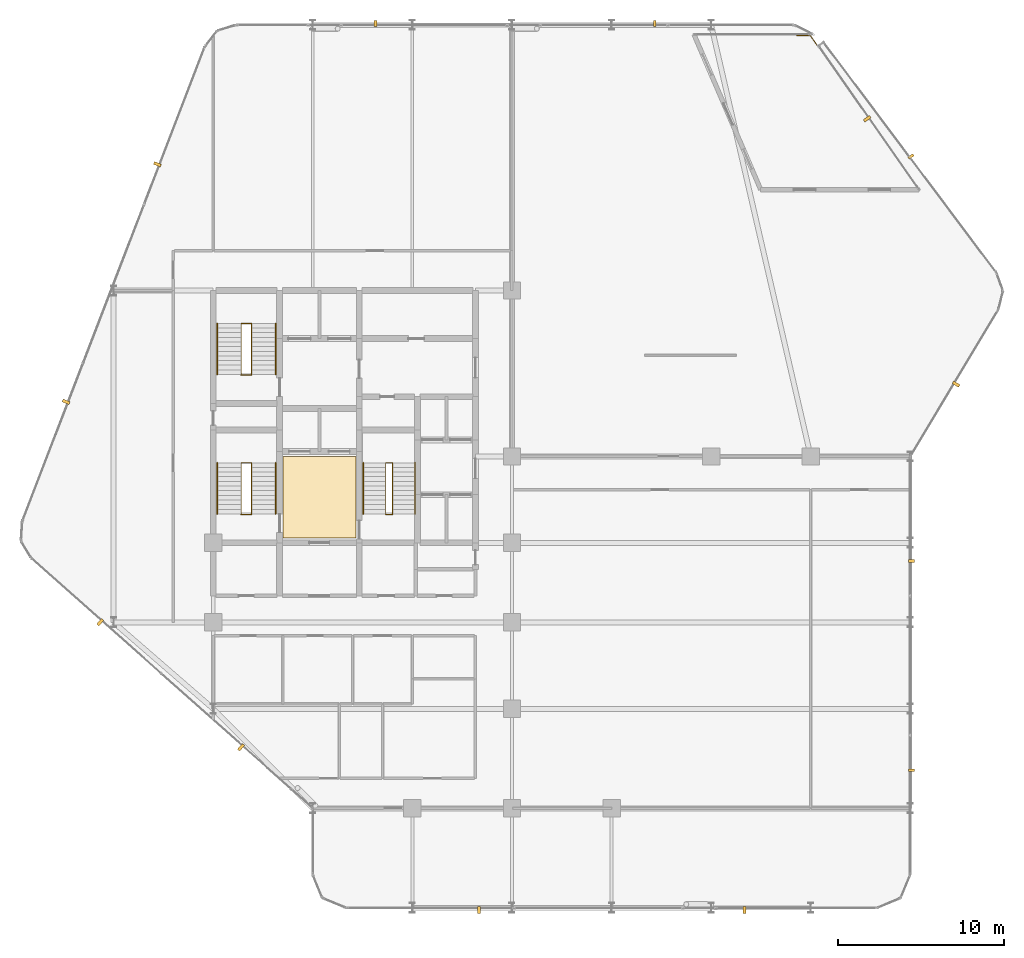
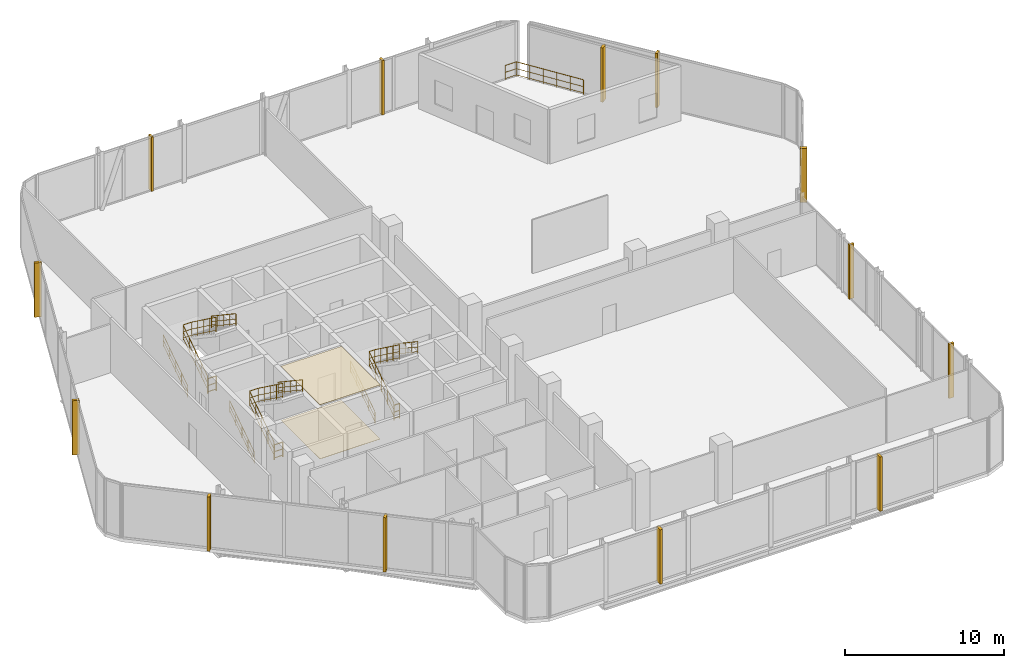
# One storey, part 31 of 31: 15 coverings, 14 railings.
"""IFC4 building model written with IfcOpenShell, lengths in metres."""

from ifc_helpers import new_model, si_unit, direction, frame, origin, origin_2d, place, context, subcontext, project, spatial, polyline, rectangle, circle, outline, extrude, material, layer, layer_set, type_object, element, save


model = new_model("IFC4")

# Units and contexts
model_context = context("Model", 3, precision=1e-05, world=origin(), true_north=direction((0.0, 1.0)))
body_context = subcontext(model_context, "Body", "Model", "MODEL_VIEW")
ifc_project = project(units=[si_unit("LENGTHUNIT", "METRE"), si_unit("AREAUNIT", "SQUARE_METRE"), si_unit("VOLUMEUNIT", "CUBIC_METRE"), si_unit("PLANEANGLEUNIT", "RADIAN"), si_unit("MASSUNIT", "GRAM", prefix="KILO")], contexts=[model_context])

# Site, building, storey
site_placement = place(None, origin())
site = spatial("IfcSite", under=ifc_project, at=site_placement, CompositionType="ELEMENT")
building_placement = place(site_placement, origin())
building = spatial("IfcBuilding", under=site, at=building_placement, Name="Keshet Zoharim Tower", CompositionType="ELEMENT")
storey_placement = place(building_placement, frame((0.0, 0.0, 125.300048828125)))
storey = spatial("IfcBuildingStorey", under=building, at=storey_placement, Name="L30", CompositionType="ELEMENT", Elevation=125.300048828125)

# Coverings
ifc_material_1 = material(Name="Gypsum Plasterboard", Category="gypsum")
ifc_layer_1 = layer(ifc_material_1, 0.02490234375)
ifc_layer_set_1 = layer_set([ifc_layer_1], Name="Gypsum Plasterboard")
covering_type_1 = type_object("IfcCoveringType", Name="CV-CLG-025", PredefinedType="CEILING", material=ifc_layer_set_1)
covering_1_placement = place(storey_placement, frame((0.0, 0.0, 4.159912109375)))
element("IfcCovering", 1, at=covering_1_placement, inside=storey, type_object=covering_type_1, Name="L30 Core Lobby Acoustic Ceiling", PredefinedType="CEILING", context=body_context, shape_type="SweptSolid", body=[
    extrude(outline(polyline([(19.199951171875, 23.0), (23.60009765625, 23.0), (23.60009765625, 27.89990234375), (19.199951171875, 27.89990234375), (19.199951171875, 23.0)])), origin(), (0.0, 0.0, 1.0), 0.025146484375),
])
ifc_material_2 = material(Name="Porcelain Ceramic Tile", Category="ceramic")
ifc_layer_2 = layer(ifc_material_2, 0.02001953125)
ifc_layer_set_2 = layer_set([ifc_layer_2], Name="Porcelain Ceramic Tile")
covering_type_2 = type_object("IfcCoveringType", Name="CV-FLR-020", PredefinedType="FLOORING", material=ifc_layer_set_2)
covering_2_placement = place(storey_placement, origin())
element("IfcCovering", 2, at=covering_2_placement, inside=storey, type_object=covering_type_2, Name="L30 Core Lobby Porcelain Flooring", PredefinedType="FLOORING", context=body_context, shape_type="SweptSolid", body=[
    extrude(outline(polyline([(19.199951171875, 23.0), (23.60009765625, 23.0), (23.60009765625, 27.89990234375), (19.199951171875, 27.89990234375), (19.199951171875, 23.0)])), origin(), (0.0, 0.0, 1.0), 0.02001953125),
])
ifc_material_3 = material(Name="Concrete C50/60 precast", Category="concrete")
covering_type_3 = type_object("IfcCoveringType", Name="FIN-SOL-360", PredefinedType="CLADDING", material=ifc_material_3)
for number, where, z_axis, x_axis, name in (
    (3, (57.04296875, 45.97509765625, 0.0), (0.0, 0.0, 1.0), (0.600018414142, -0.799986189062, 0.0), "L30 Vertical Precast Solar Fin 01"),
    (4, (57.080078125, 21.60009765625, 0.0), (0.0, 0.0, 1.0), (0.0, -1.0, 0.0), "L30 Vertical Precast Solar Fin 03"),
    (5, (57.080078125, 9.0, 0.0), (0.0, 0.0, 1.0), (0.0, -1.0, 0.0), "L30 Vertical Precast Solar Fin 04"),
    (6, (24.780029296875, 53.97998046875, 0.0), (0.0, 0.0, 1.0), (1.0, 0.0, 0.0), "L30 Vertical Precast Solar Fin 11"),
    (7, (41.593994140625, 53.97998046875, 0.0), (0.0, 0.0, 1.0), (1.0, 0.0, 0.0), "L30 Vertical Precast Solar Fin 12"),
):
    element("IfcCovering", number, at=place(storey_placement, frame(where, z_axis=z_axis, x_axis=x_axis)), inside=storey, type_object=covering_type_3, Name=name, PredefinedType="CLADDING", context=body_context, shape_type="SweptSolid", body=[
        extrude(rectangle(XDim=0.159912109375, YDim=0.360107421875, at=origin_2d()), origin(), (0.0, 0.0, 1.0), 4.18505859375),
    ])
covering_type_4 = type_object("IfcCoveringType", Name="FIN-SOL-450", PredefinedType="CLADDING", material=ifc_material_3)
for number, where, z_axis, x_axis, name in (
    (8, (59.760986328125, 32.259033203125, 0.0), (0.0, 0.0, 1.0), (-0.514481501576, -0.857501477862, 0.0), "L30 Vertical Precast Solar Fin 02"),
    (9, (47.0, 0.574951171875, 0.0), (0.0, 0.0, 1.0), (-1.0, 0.0, 0.0), "L30 Vertical Precast Solar Fin 05"),
    (10, (31.0, 0.574951171875, 0.0), (0.0, 0.0, 1.0), (-1.0, 0.0, 0.0), "L30 Vertical Precast Solar Fin 06"),
    (11, (16.676025390625, 10.376953125, 0.0), (0.0, 0.0, 1.0), (-0.747409318679, 0.664363838836, 0.0), "L30 Vertical Precast Solar Fin 07"),
    (12, (8.193115234375, 17.9169921875, 0.0), (0.0, 0.0, 1.0), (-0.747409318679, 0.664363838836, 0.0), "L30 Vertical Precast Solar Fin 08"),
    (13, (6.133056640625, 31.194091796875, 0.0), (0.0, 0.0, 1.0), (0.358990003907, 0.933341404361, 0.0), "L30 Vertical Precast Solar Fin 09"),
    (14, (11.637939453125, 45.507080078125, 0.0), (0.0, 0.0, 1.0), (0.358990003907, 0.933341404361, 0.0), "L30 Vertical Precast Solar Fin 10"),
    (15, (54.402099609375, 48.25, 0.0), (0.0, 0.0, 1.0), (-0.57282227337, 0.81967959785, 0.0), "L30 Vertical Precast Solar Fin 13"),
):
    element("IfcCovering", number, at=place(storey_placement, frame(where, z_axis=z_axis, x_axis=x_axis)), inside=storey, type_object=covering_type_4, Name=name, PredefinedType="CLADDING", context=body_context, shape_type="SweptSolid", body=[
        extrude(rectangle(XDim=0.179931640625, YDim=0.449951171875, at=origin_2d()), origin(), (0.0, 0.0, 1.0), 4.18505859375),
    ])

# Railings
ifc_material_4 = material(Name="Steel S355", Category="steel")
ifc_layer_3 = layer(ifc_material_4, 0.050048828125)
ifc_layer_set_3 = layer_set([ifc_layer_3], Name="Steel S355")
railing_type_1 = type_object("IfcRailingType", Name="RL-HND-092", PredefinedType="HANDRAIL", material=ifc_layer_set_3)
railing_1_placement = place(storey_placement, frame((15.239990234375, 24.43994140625, 0.1875)))
element("IfcRailing", 16, at=railing_1_placement, inside=storey, type_object=railing_type_1, Name="L30 ST-01 Flight 1 Wall Handrail", PredefinedType="HANDRAIL", context=body_context, shape_type="SweptSolid", body=[
    extrude(circle(Radius=0.02392578125, at=origin_2d()), frame((0.0, 0.0, 0.89599609375), z_axis=(0.0, 0.830913701846, 0.55640131208), x_axis=(-1.0, 0.0, 0.0)), (0.0, 0.0, 1.0), 3.706787109375),
    extrude(circle(Radius=0.01611328125, at=origin_2d()), frame((0.0, 0.0, 0.478271484375), z_axis=(0.0, 0.830913701846, 0.55640131208), x_axis=(-1.0, 0.0, 0.0)), (0.0, 0.0, 1.0), 3.706787109375),
    extrude(circle(Radius=0.01611328125, at=origin_2d()), frame((0.0, 0.0, 0.1201171875), z_axis=(0.0, 0.830913701846, 0.55640131208), x_axis=(-1.0, 0.0, 0.0)), (0.0, 0.0, 1.0), 3.706787109375),
    extrude(circle(Radius=0.02099609375, at=origin_2d()), origin(), (0.0, 0.0, 1.0), 0.871826171875),
    extrude(circle(Radius=0.02099609375, at=origin_2d()), frame((0.0, 0.77001953125, 0.515625)), (0.0, 0.0, 1.0), 0.871826171875),
    extrude(circle(Radius=0.02099609375, at=origin_2d()), frame((0.0, 1.5400390625, 1.03125)), (0.0, 0.0, 1.0), 0.871826171875),
    extrude(circle(Radius=0.02099609375, at=origin_2d()), frame((0.0, 2.31005859375, 1.546875)), (0.0, 0.0, 1.0), 0.871826171875),
    extrude(circle(Radius=0.02099609375, at=origin_2d()), frame((0.0, 3.080078125, 2.0625)), (0.0, 0.0, 1.0), 0.871826171875),
])
railing_2_placement = place(storey_placement, frame((18.760009765625, 27.52001953125, 2.4375)))
element("IfcRailing", 17, at=railing_2_placement, inside=storey, type_object=railing_type_1, Name="L30 ST-01 Flight 2 Wall Handrail", PredefinedType="HANDRAIL", context=body_context, shape_type="SweptSolid", body=[
    extrude(circle(Radius=0.02392578125, at=origin_2d()), frame((0.0, 0.0, 0.89599609375), z_axis=(0.0, -0.830913701846, 0.55640131208), x_axis=(1.0, 0.0, 0.0)), (0.0, 0.0, 1.0), 3.706787109375),
    extrude(circle(Radius=0.01611328125, at=origin_2d()), frame((0.0, 0.0, 0.478271484375), z_axis=(0.0, -0.830913701846, 0.55640131208), x_axis=(1.0, 0.0, 0.0)), (0.0, 0.0, 1.0), 3.706787109375),
    extrude(circle(Radius=0.01611328125, at=origin_2d()), frame((0.0, 0.0, 0.1201171875), z_axis=(0.0, -0.830913701846, 0.55640131208), x_axis=(1.0, 0.0, 0.0)), (0.0, 0.0, 1.0), 3.706787109375),
    extrude(circle(Radius=0.02099609375, at=origin_2d()), origin(), (0.0, 0.0, 1.0), 0.871826171875),
    extrude(circle(Radius=0.02099609375, at=origin_2d()), frame((0.0, -0.77001953125, 0.515625)), (0.0, 0.0, 1.0), 0.871826171875),
    extrude(circle(Radius=0.02099609375, at=origin_2d()), frame((0.0, -1.5400390625, 1.03125)), (0.0, 0.0, 1.0), 0.871826171875),
    extrude(circle(Radius=0.02099609375, at=origin_2d()), frame((0.0, -2.31005859375, 1.546875)), (0.0, 0.0, 1.0), 0.871826171875),
    extrude(circle(Radius=0.02099609375, at=origin_2d()), frame((0.0, -3.080078125, 2.0625)), (0.0, 0.0, 1.0), 0.871826171875),
])
railing_3_placement = place(storey_placement, frame((15.239990234375, 32.840087890625, 0.1875)))
element("IfcRailing", 18, at=railing_3_placement, inside=storey, type_object=railing_type_1, Name="L30 ST-02 Flight 1 Wall Handrail", PredefinedType="HANDRAIL", context=body_context, shape_type="SweptSolid", body=[
    extrude(circle(Radius=0.02392578125, at=origin_2d()), frame((0.0, 0.0, 0.89599609375), z_axis=(0.0, 0.830893310487, 0.556431762742), x_axis=(-1.0, 0.0, 0.0)), (0.0, 0.0, 1.0), 3.70654296875),
    extrude(circle(Radius=0.01611328125, at=origin_2d()), frame((0.0, 0.0, 0.478271484375), z_axis=(0.0, 0.830893310487, 0.556431762742), x_axis=(-1.0, 0.0, 0.0)), (0.0, 0.0, 1.0), 3.70654296875),
    extrude(circle(Radius=0.01611328125, at=origin_2d()), frame((0.0, 0.0, 0.1201171875), z_axis=(0.0, 0.830893310487, 0.556431762742), x_axis=(-1.0, 0.0, 0.0)), (0.0, 0.0, 1.0), 3.70654296875),
    extrude(circle(Radius=0.02099609375, at=origin_2d()), origin(), (0.0, 0.0, 1.0), 0.871826171875),
    extrude(circle(Radius=0.02099609375, at=origin_2d()), frame((0.0, 0.77001953125, 0.515625)), (0.0, 0.0, 1.0), 0.871826171875),
    extrude(circle(Radius=0.02099609375, at=origin_2d()), frame((0.0, 1.5400390625, 1.03125)), (0.0, 0.0, 1.0), 0.871826171875),
    extrude(circle(Radius=0.02099609375, at=origin_2d()), frame((0.0, 2.309814453125, 1.546875)), (0.0, 0.0, 1.0), 0.871826171875),
    extrude(circle(Radius=0.02099609375, at=origin_2d()), frame((0.0, 3.079833984375, 2.0625)), (0.0, 0.0, 1.0), 0.871826171875),
])
railing_4_placement = place(storey_placement, frame((18.760009765625, 35.919921875, 2.4375)))
element("IfcRailing", 19, at=railing_4_placement, inside=storey, type_object=railing_type_1, Name="L30 ST-02 Flight 2 Wall Handrail", PredefinedType="HANDRAIL", context=body_context, shape_type="SweptSolid", body=[
    extrude(circle(Radius=0.02392578125, at=origin_2d()), frame((0.0, 0.0, 0.89599609375), z_axis=(0.0, -0.830893310487, 0.556431762742), x_axis=(1.0, 0.0, 0.0)), (0.0, 0.0, 1.0), 3.70654296875),
    extrude(circle(Radius=0.01611328125, at=origin_2d()), frame((0.0, 0.0, 0.478271484375), z_axis=(0.0, -0.830893310487, 0.556431762742), x_axis=(1.0, 0.0, 0.0)), (0.0, 0.0, 1.0), 3.70654296875),
    extrude(circle(Radius=0.01611328125, at=origin_2d()), frame((0.0, 0.0, 0.1201171875), z_axis=(0.0, -0.830893310487, 0.556431762742), x_axis=(1.0, 0.0, 0.0)), (0.0, 0.0, 1.0), 3.70654296875),
    extrude(circle(Radius=0.02099609375, at=origin_2d()), origin(), (0.0, 0.0, 1.0), 0.871826171875),
    extrude(circle(Radius=0.02099609375, at=origin_2d()), frame((0.0, -0.77001953125, 0.515625)), (0.0, 0.0, 1.0), 0.871826171875),
    extrude(circle(Radius=0.02099609375, at=origin_2d()), frame((0.0, -1.5400390625, 1.03125)), (0.0, 0.0, 1.0), 0.871826171875),
    extrude(circle(Radius=0.02099609375, at=origin_2d()), frame((0.0, -2.309814453125, 1.546875)), (0.0, 0.0, 1.0), 0.871826171875),
    extrude(circle(Radius=0.02099609375, at=origin_2d()), frame((0.0, -3.079833984375, 2.0625)), (0.0, 0.0, 1.0), 0.871826171875),
])
railing_5_placement = place(storey_placement, frame((24.0400390625, 24.43994140625, 0.1875)))
element("IfcRailing", 20, at=railing_5_placement, inside=storey, type_object=railing_type_1, Name="L30 ST-03 Flight 1 Wall Handrail", PredefinedType="HANDRAIL", context=body_context, shape_type="SweptSolid", body=[
    extrude(circle(Radius=0.02392578125, at=origin_2d()), frame((0.0, 0.0, 0.89599609375), z_axis=(0.0, 0.830913701846, 0.55640131208), x_axis=(-1.0, 0.0, 0.0)), (0.0, 0.0, 1.0), 3.706787109375),
    extrude(circle(Radius=0.01611328125, at=origin_2d()), frame((0.0, 0.0, 0.478271484375), z_axis=(0.0, 0.830913701846, 0.55640131208), x_axis=(-1.0, 0.0, 0.0)), (0.0, 0.0, 1.0), 3.706787109375),
    extrude(circle(Radius=0.01611328125, at=origin_2d()), frame((0.0, 0.0, 0.1201171875), z_axis=(0.0, 0.830913701846, 0.55640131208), x_axis=(-1.0, 0.0, 0.0)), (0.0, 0.0, 1.0), 3.706787109375),
    extrude(circle(Radius=0.02099609375, at=origin_2d()), origin(), (0.0, 0.0, 1.0), 0.871826171875),
    extrude(circle(Radius=0.02099609375, at=origin_2d()), frame((0.0, 0.77001953125, 0.515625)), (0.0, 0.0, 1.0), 0.871826171875),
    extrude(circle(Radius=0.02099609375, at=origin_2d()), frame((0.0, 1.5400390625, 1.03125)), (0.0, 0.0, 1.0), 0.871826171875),
    extrude(circle(Radius=0.02099609375, at=origin_2d()), frame((0.0, 2.31005859375, 1.546875)), (0.0, 0.0, 1.0), 0.871826171875),
    extrude(circle(Radius=0.02099609375, at=origin_2d()), frame((0.0, 3.080078125, 2.0625)), (0.0, 0.0, 1.0), 0.871826171875),
])
railing_6_placement = place(storey_placement, frame((27.159912109375, 27.52001953125, 2.4375)))
element("IfcRailing", 21, at=railing_6_placement, inside=storey, type_object=railing_type_1, Name="L30 ST-03 Flight 2 Wall Handrail", PredefinedType="HANDRAIL", context=body_context, shape_type="SweptSolid", body=[
    extrude(circle(Radius=0.02392578125, at=origin_2d()), frame((0.0, 0.0, 0.89599609375), z_axis=(0.0, -0.830913701846, 0.55640131208), x_axis=(1.0, 0.0, 0.0)), (0.0, 0.0, 1.0), 3.706787109375),
    extrude(circle(Radius=0.01611328125, at=origin_2d()), frame((0.0, 0.0, 0.478271484375), z_axis=(0.0, -0.830913701846, 0.55640131208), x_axis=(1.0, 0.0, 0.0)), (0.0, 0.0, 1.0), 3.706787109375),
    extrude(circle(Radius=0.01611328125, at=origin_2d()), frame((0.0, 0.0, 0.1201171875), z_axis=(0.0, -0.830913701846, 0.55640131208), x_axis=(1.0, 0.0, 0.0)), (0.0, 0.0, 1.0), 3.706787109375),
    extrude(circle(Radius=0.02099609375, at=origin_2d()), origin(), (0.0, 0.0, 1.0), 0.871826171875),
    extrude(circle(Radius=0.02099609375, at=origin_2d()), frame((0.0, -0.77001953125, 0.515625)), (0.0, 0.0, 1.0), 0.871826171875),
    extrude(circle(Radius=0.02099609375, at=origin_2d()), frame((0.0, -1.5400390625, 1.03125)), (0.0, 0.0, 1.0), 0.871826171875),
    extrude(circle(Radius=0.02099609375, at=origin_2d()), frame((0.0, -2.31005859375, 1.546875)), (0.0, 0.0, 1.0), 0.871826171875),
    extrude(circle(Radius=0.02099609375, at=origin_2d()), frame((0.0, -3.080078125, 2.0625)), (0.0, 0.0, 1.0), 0.871826171875),
])
ifc_layer_4 = layer(ifc_material_4, 0.06005859375)
ifc_layer_set_4 = layer_set([ifc_layer_4], Name="Steel S355")
railing_type_2 = type_object("IfcRailingType", Name="RL-STG-115", PredefinedType="GUARDRAIL", material=ifc_layer_set_4)
railing_7_placement = place(storey_placement, frame((16.68994140625, 24.43994140625, 0.1875)))
element("IfcRailing", 22, at=railing_7_placement, inside=storey, type_object=railing_type_2, Name="L30 ST-01 Inner Well Guardrail", PredefinedType="GUARDRAIL", context=body_context, shape_type="SweptSolid", body=[
    extrude(circle(Radius=0.02392578125, at=origin_2d()), frame((0.0, 0.0, 1.1259765625), z_axis=(0.0, 0.830913701846, 0.55640131208), x_axis=(-1.0, 0.0, 0.0)), (0.0, 0.0, 1.0), 3.706787109375),
    extrude(circle(Radius=0.01611328125, at=origin_2d()), frame((0.0, 0.0, 0.597900390625), z_axis=(0.0, 0.830913701846, 0.55640131208), x_axis=(-1.0, 0.0, 0.0)), (0.0, 0.0, 1.0), 3.706787109375),
    extrude(circle(Radius=0.01611328125, at=origin_2d()), frame((0.0, 0.0, 0.1201171875), z_axis=(0.0, 0.830913701846, 0.55640131208), x_axis=(-1.0, 0.0, 0.0)), (0.0, 0.0, 1.0), 3.706787109375),
    extrude(circle(Radius=0.02392578125, at=origin_2d()), frame((0.0, 3.080078125, 3.1884765625), z_axis=(1.0, 0.0, 0.0), x_axis=(0.0, 1.0, 0.0)), (0.0, 0.0, 1.0), 0.6201171875),
    extrude(circle(Radius=0.01611328125, at=origin_2d()), frame((0.0, 3.080078125, 2.660400390625), z_axis=(1.0, 0.0, 0.0), x_axis=(0.0, 1.0, 0.0)), (0.0, 0.0, 1.0), 0.6201171875),
    extrude(circle(Radius=0.01611328125, at=origin_2d()), frame((0.0, 3.080078125, 2.1826171875), z_axis=(1.0, 0.0, 0.0), x_axis=(0.0, 1.0, 0.0)), (0.0, 0.0, 1.0), 0.6201171875),
    extrude(circle(Radius=0.02392578125, at=origin_2d()), frame((0.6201171875, 3.080078125, 3.1884765625), z_axis=(0.0, -0.807494308864, 0.589875360692), x_axis=(1.0, 0.0, 0.0)), (0.0, 0.0, 1.0), 3.814453125),
    extrude(circle(Radius=0.01611328125, at=origin_2d()), frame((0.6201171875, 3.080078125, 2.660400390625), z_axis=(0.0, -0.807494308864, 0.589875360692), x_axis=(1.0, 0.0, 0.0)), (0.0, 0.0, 1.0), 3.814453125),
    extrude(circle(Radius=0.01611328125, at=origin_2d()), frame((0.6201171875, 3.080078125, 2.1826171875), z_axis=(0.0, -0.807494308864, 0.589875360692), x_axis=(1.0, 0.0, 0.0)), (0.0, 0.0, 1.0), 3.814453125),
    extrude(circle(Radius=0.02099609375, at=origin_2d()), origin(), (0.0, 0.0, 1.0), 1.101806640625),
    extrude(circle(Radius=0.02099609375, at=origin_2d()), frame((0.0, 0.77001953125, 0.515625)), (0.0, 0.0, 1.0), 1.101806640625),
    extrude(circle(Radius=0.02099609375, at=origin_2d()), frame((0.0, 1.5400390625, 1.03125)), (0.0, 0.0, 1.0), 1.101806640625),
    extrude(circle(Radius=0.02099609375, at=origin_2d()), frame((0.0, 2.31005859375, 1.546875)), (0.0, 0.0, 1.0), 1.101806640625),
    extrude(circle(Radius=0.02099609375, at=origin_2d()), frame((0.0, 3.080078125, 2.0625)), (0.0, 0.0, 1.0), 1.101806640625),
    extrude(circle(Radius=0.02099609375, at=origin_2d()), frame((0.6201171875, 3.080078125, 2.0625)), (0.0, 0.0, 1.0), 1.101806640625),
    extrude(circle(Radius=0.02099609375, at=origin_2d()), frame((0.6201171875, 2.31005859375, 2.625)), (0.0, 0.0, 1.0), 1.101806640625),
    extrude(circle(Radius=0.02099609375, at=origin_2d()), frame((0.6201171875, 1.5400390625, 3.1875)), (0.0, 0.0, 1.0), 1.101806640625),
    extrude(circle(Radius=0.02099609375, at=origin_2d()), frame((0.6201171875, 0.77001953125, 3.75)), (0.0, 0.0, 1.0), 1.101806640625),
    extrude(circle(Radius=0.02099609375, at=origin_2d()), frame((0.6201171875, 0.0, 4.3125)), (0.0, 0.0, 1.0), 1.101806640625),
])
railing_8_placement = place(storey_placement, frame((16.68994140625, 24.409912109375, 0.0)))
element("IfcRailing", 23, at=railing_8_placement, inside=storey, type_object=railing_type_2, Name="L30 ST-01 Stairwell Floor Guardrail", PredefinedType="GUARDRAIL", context=body_context, shape_type="SweptSolid", body=[
    extrude(circle(Radius=0.02392578125, at=origin_2d()), frame((0.0, 0.0, 1.1259765625), z_axis=(1.0, 0.0, 0.0), x_axis=(0.0, 1.0, 0.0)), (0.0, 0.0, 1.0), 0.6201171875),
    extrude(circle(Radius=0.01611328125, at=origin_2d()), frame((0.0, 0.0, 0.597900390625), z_axis=(1.0, 0.0, 0.0), x_axis=(0.0, 1.0, 0.0)), (0.0, 0.0, 1.0), 0.6201171875),
    extrude(circle(Radius=0.01611328125, at=origin_2d()), frame((0.0, 0.0, 0.1201171875), z_axis=(1.0, 0.0, 0.0), x_axis=(0.0, 1.0, 0.0)), (0.0, 0.0, 1.0), 0.6201171875),
    extrude(circle(Radius=0.02099609375, at=origin_2d()), origin(), (0.0, 0.0, 1.0), 1.101806640625),
    extrude(circle(Radius=0.02099609375, at=origin_2d()), frame((0.6201171875, 0.0, 0.0)), (0.0, 0.0, 1.0), 1.101806640625),
])
railing_9_placement = place(storey_placement, frame((16.68994140625, 32.840087890625, 0.1875)))
element("IfcRailing", 24, at=railing_9_placement, inside=storey, type_object=railing_type_2, Name="L30 ST-02 Inner Well Guardrail", PredefinedType="GUARDRAIL", context=body_context, shape_type="SweptSolid", body=[
    extrude(circle(Radius=0.02392578125, at=origin_2d()), frame((0.0, 0.0, 1.1259765625), z_axis=(0.0, 0.830893310487, 0.556431762742), x_axis=(-1.0, 0.0, 0.0)), (0.0, 0.0, 1.0), 3.70654296875),
    extrude(circle(Radius=0.01611328125, at=origin_2d()), frame((0.0, 0.0, 0.597900390625), z_axis=(0.0, 0.830893310487, 0.556431762742), x_axis=(-1.0, 0.0, 0.0)), (0.0, 0.0, 1.0), 3.70654296875),
    extrude(circle(Radius=0.01611328125, at=origin_2d()), frame((0.0, 0.0, 0.1201171875), z_axis=(0.0, 0.830893310487, 0.556431762742), x_axis=(-1.0, 0.0, 0.0)), (0.0, 0.0, 1.0), 3.70654296875),
    extrude(circle(Radius=0.02392578125, at=origin_2d()), frame((0.0, 3.079833984375, 3.1884765625), z_axis=(1.0, 0.0, 0.0), x_axis=(0.0, 1.0, 0.0)), (0.0, 0.0, 1.0), 0.6201171875),
    extrude(circle(Radius=0.01611328125, at=origin_2d()), frame((0.0, 3.079833984375, 2.660400390625), z_axis=(1.0, 0.0, 0.0), x_axis=(0.0, 1.0, 0.0)), (0.0, 0.0, 1.0), 0.6201171875),
    extrude(circle(Radius=0.01611328125, at=origin_2d()), frame((0.0, 3.079833984375, 2.1826171875), z_axis=(1.0, 0.0, 0.0), x_axis=(0.0, 1.0, 0.0)), (0.0, 0.0, 1.0), 0.6201171875),
    extrude(circle(Radius=0.02392578125, at=origin_2d()), frame((0.6201171875, 3.079833984375, 3.1884765625), z_axis=(0.0, -0.80747203621, 0.589905849046), x_axis=(1.0, 0.0, 0.0)), (0.0, 0.0, 1.0), 3.814208984375),
    extrude(circle(Radius=0.01611328125, at=origin_2d()), frame((0.6201171875, 3.079833984375, 2.660400390625), z_axis=(0.0, -0.80747203621, 0.589905849046), x_axis=(1.0, 0.0, 0.0)), (0.0, 0.0, 1.0), 3.814208984375),
    extrude(circle(Radius=0.01611328125, at=origin_2d()), frame((0.6201171875, 3.079833984375, 2.1826171875), z_axis=(0.0, -0.80747203621, 0.589905849046), x_axis=(1.0, 0.0, 0.0)), (0.0, 0.0, 1.0), 3.814208984375),
    extrude(circle(Radius=0.02099609375, at=origin_2d()), origin(), (0.0, 0.0, 1.0), 1.101806640625),
    extrude(circle(Radius=0.02099609375, at=origin_2d()), frame((0.0, 0.77001953125, 0.515625)), (0.0, 0.0, 1.0), 1.101806640625),
    extrude(circle(Radius=0.02099609375, at=origin_2d()), frame((0.0, 1.5400390625, 1.03125)), (0.0, 0.0, 1.0), 1.101806640625),
    extrude(circle(Radius=0.02099609375, at=origin_2d()), frame((0.0, 2.309814453125, 1.546875)), (0.0, 0.0, 1.0), 1.101806640625),
    extrude(circle(Radius=0.02099609375, at=origin_2d()), frame((0.0, 3.079833984375, 2.0625)), (0.0, 0.0, 1.0), 1.101806640625),
    extrude(circle(Radius=0.02099609375, at=origin_2d()), frame((0.6201171875, 3.079833984375, 2.0625)), (0.0, 0.0, 1.0), 1.101806640625),
    extrude(circle(Radius=0.02099609375, at=origin_2d()), frame((0.6201171875, 2.309814453125, 2.625)), (0.0, 0.0, 1.0), 1.101806640625),
    extrude(circle(Radius=0.02099609375, at=origin_2d()), frame((0.6201171875, 1.5400390625, 3.1875)), (0.0, 0.0, 1.0), 1.101806640625),
    extrude(circle(Radius=0.02099609375, at=origin_2d()), frame((0.6201171875, 0.77001953125, 3.75)), (0.0, 0.0, 1.0), 1.101806640625),
    extrude(circle(Radius=0.02099609375, at=origin_2d()), frame((0.6201171875, 0.0, 4.3125)), (0.0, 0.0, 1.0), 1.101806640625),
])
railing_10_placement = place(storey_placement, frame((16.68994140625, 32.81005859375, 0.0)))
element("IfcRailing", 25, at=railing_10_placement, inside=storey, type_object=railing_type_2, Name="L30 ST-02 Stairwell Floor Guardrail", PredefinedType="GUARDRAIL", context=body_context, shape_type="SweptSolid", body=[
    extrude(circle(Radius=0.02392578125, at=origin_2d()), frame((0.0, 0.0, 1.1259765625), z_axis=(1.0, 0.0, 0.0), x_axis=(0.0, 1.0, 0.0)), (0.0, 0.0, 1.0), 0.6201171875),
    extrude(circle(Radius=0.01611328125, at=origin_2d()), frame((0.0, 0.0, 0.597900390625), z_axis=(1.0, 0.0, 0.0), x_axis=(0.0, 1.0, 0.0)), (0.0, 0.0, 1.0), 0.6201171875),
    extrude(circle(Radius=0.01611328125, at=origin_2d()), frame((0.0, 0.0, 0.1201171875), z_axis=(1.0, 0.0, 0.0), x_axis=(0.0, 1.0, 0.0)), (0.0, 0.0, 1.0), 0.6201171875),
    extrude(circle(Radius=0.02099609375, at=origin_2d()), origin(), (0.0, 0.0, 1.0), 1.101806640625),
    extrude(circle(Radius=0.02099609375, at=origin_2d()), frame((0.6201171875, 0.0, 0.0)), (0.0, 0.0, 1.0), 1.101806640625),
])
railing_11_placement = place(storey_placement, frame((25.39990234375, 24.43994140625, 0.1875)))
element("IfcRailing", 26, at=railing_11_placement, inside=storey, type_object=railing_type_2, Name="L30 ST-03 Inner Well Guardrail", PredefinedType="GUARDRAIL", context=body_context, shape_type="SweptSolid", body=[
    extrude(circle(Radius=0.02392578125, at=origin_2d()), frame((0.0, 0.0, 1.1259765625), z_axis=(0.0, 0.830913701846, 0.55640131208), x_axis=(-1.0, 0.0, 0.0)), (0.0, 0.0, 1.0), 3.706787109375),
    extrude(circle(Radius=0.01611328125, at=origin_2d()), frame((0.0, 0.0, 0.597900390625), z_axis=(0.0, 0.830913701846, 0.55640131208), x_axis=(-1.0, 0.0, 0.0)), (0.0, 0.0, 1.0), 3.706787109375),
    extrude(circle(Radius=0.01611328125, at=origin_2d()), frame((0.0, 0.0, 0.1201171875), z_axis=(0.0, 0.830913701846, 0.55640131208), x_axis=(-1.0, 0.0, 0.0)), (0.0, 0.0, 1.0), 3.706787109375),
    extrude(circle(Radius=0.02392578125, at=origin_2d()), frame((0.0, 3.080078125, 3.1884765625), z_axis=(1.0, 0.0, 0.0), x_axis=(0.0, 1.0, 0.0)), (0.0, 0.0, 1.0), 0.400146484375),
    extrude(circle(Radius=0.01611328125, at=origin_2d()), frame((0.0, 3.080078125, 2.660400390625), z_axis=(1.0, 0.0, 0.0), x_axis=(0.0, 1.0, 0.0)), (0.0, 0.0, 1.0), 0.400146484375),
    extrude(circle(Radius=0.01611328125, at=origin_2d()), frame((0.0, 3.080078125, 2.1826171875), z_axis=(1.0, 0.0, 0.0), x_axis=(0.0, 1.0, 0.0)), (0.0, 0.0, 1.0), 0.400146484375),
    extrude(circle(Radius=0.02392578125, at=origin_2d()), frame((0.400146484375, 3.080078125, 3.1884765625), z_axis=(0.0, -0.807494308864, 0.589875360692), x_axis=(1.0, 0.0, 0.0)), (0.0, 0.0, 1.0), 3.814453125),
    extrude(circle(Radius=0.01611328125, at=origin_2d()), frame((0.400146484375, 3.080078125, 2.660400390625), z_axis=(0.0, -0.807494308864, 0.589875360692), x_axis=(1.0, 0.0, 0.0)), (0.0, 0.0, 1.0), 3.814453125),
    extrude(circle(Radius=0.01611328125, at=origin_2d()), frame((0.400146484375, 3.080078125, 2.1826171875), z_axis=(0.0, -0.807494308864, 0.589875360692), x_axis=(1.0, 0.0, 0.0)), (0.0, 0.0, 1.0), 3.814453125),
    extrude(circle(Radius=0.02099609375, at=origin_2d()), origin(), (0.0, 0.0, 1.0), 1.101806640625),
    extrude(circle(Radius=0.02099609375, at=origin_2d()), frame((0.0, 0.77001953125, 0.515625)), (0.0, 0.0, 1.0), 1.101806640625),
    extrude(circle(Radius=0.02099609375, at=origin_2d()), frame((0.0, 1.5400390625, 1.03125)), (0.0, 0.0, 1.0), 1.101806640625),
    extrude(circle(Radius=0.02099609375, at=origin_2d()), frame((0.0, 2.31005859375, 1.546875)), (0.0, 0.0, 1.0), 1.101806640625),
    extrude(circle(Radius=0.02099609375, at=origin_2d()), frame((0.0, 3.080078125, 2.0625)), (0.0, 0.0, 1.0), 1.101806640625),
    extrude(circle(Radius=0.02099609375, at=origin_2d()), frame((0.400146484375, 3.080078125, 2.0625)), (0.0, 0.0, 1.0), 1.101806640625),
    extrude(circle(Radius=0.02099609375, at=origin_2d()), frame((0.400146484375, 2.31005859375, 2.625)), (0.0, 0.0, 1.0), 1.101806640625),
    extrude(circle(Radius=0.02099609375, at=origin_2d()), frame((0.400146484375, 1.5400390625, 3.1875)), (0.0, 0.0, 1.0), 1.101806640625),
    extrude(circle(Radius=0.02099609375, at=origin_2d()), frame((0.400146484375, 0.77001953125, 3.75)), (0.0, 0.0, 1.0), 1.101806640625),
    extrude(circle(Radius=0.02099609375, at=origin_2d()), frame((0.400146484375, 0.0, 4.3125)), (0.0, 0.0, 1.0), 1.101806640625),
])
railing_12_placement = place(storey_placement, frame((25.39990234375, 24.409912109375, 0.0)))
element("IfcRailing", 27, at=railing_12_placement, inside=storey, type_object=railing_type_2, Name="L30 ST-03 Stairwell Floor Guardrail", PredefinedType="GUARDRAIL", context=body_context, shape_type="SweptSolid", body=[
    extrude(circle(Radius=0.02392578125, at=origin_2d()), frame((0.0, 0.0, 1.1259765625), z_axis=(1.0, 0.0, 0.0), x_axis=(0.0, 1.0, 0.0)), (0.0, 0.0, 1.0), 0.400146484375),
    extrude(circle(Radius=0.01611328125, at=origin_2d()), frame((0.0, 0.0, 0.597900390625), z_axis=(1.0, 0.0, 0.0), x_axis=(0.0, 1.0, 0.0)), (0.0, 0.0, 1.0), 0.400146484375),
    extrude(circle(Radius=0.01611328125, at=origin_2d()), frame((0.0, 0.0, 0.1201171875), z_axis=(1.0, 0.0, 0.0), x_axis=(0.0, 1.0, 0.0)), (0.0, 0.0, 1.0), 0.400146484375),
    extrude(circle(Radius=0.02099609375, at=origin_2d()), origin(), (0.0, 0.0, 1.0), 1.101806640625),
    extrude(circle(Radius=0.02099609375, at=origin_2d()), frame((0.400146484375, 0.0, 0.0)), (0.0, 0.0, 1.0), 1.101806640625),
])
ifc_layer_5 = layer(ifc_material_4, 0.070068359375)
ifc_layer_set_5 = layer_set([ifc_layer_5], Name="Steel S355")
railing_type_3 = type_object("IfcRailingType", Name="RL-TER-115", PredefinedType="GUARDRAIL", material=ifc_layer_set_5)
railing_13_placement = place(storey_placement, frame((50.178955078125, 53.260009765625, 0.0)))
element("IfcRailing", 28, at=railing_13_placement, inside=storey, type_object=railing_type_3, Name="L30 Terrace Perimeter Guardrail 01", PredefinedType="GUARDRAIL", context=body_context, shape_type="SweptSolid", body=[
    extrude(circle(Radius=0.02392578125, at=origin_2d()), frame((0.0, 0.0, 1.1259765625), z_axis=(1.0, 0.0, 0.0), x_axis=(0.0, 1.0, 0.0)), (0.0, 0.0, 1.0), 0.800048828125),
    extrude(circle(Radius=0.01611328125, at=origin_2d()), frame((0.0, 0.0, 0.597900390625), z_axis=(1.0, 0.0, 0.0), x_axis=(0.0, 1.0, 0.0)), (0.0, 0.0, 1.0), 0.800048828125),
    extrude(circle(Radius=0.01611328125, at=origin_2d()), frame((0.0, 0.0, 0.1201171875), z_axis=(1.0, 0.0, 0.0), x_axis=(0.0, 1.0, 0.0)), (0.0, 0.0, 1.0), 0.800048828125),
    extrude(circle(Radius=0.02099609375, at=origin_2d()), origin(), (0.0, 0.0, 1.0), 1.101806640625),
    extrude(circle(Radius=0.02099609375, at=origin_2d()), frame((0.800048828125, 0.0, 0.0)), (0.0, 0.0, 1.0), 1.101806640625),
])
railing_14_placement = place(storey_placement, frame((50.97900390625, 53.260009765625, 0.0)))
element("IfcRailing", 29, at=railing_14_placement, inside=storey, type_object=railing_type_3, Name="L30 Terrace Perimeter Guardrail 02", PredefinedType="GUARDRAIL", context=body_context, shape_type="SweptSolid", body=[
    extrude(circle(Radius=0.02392578125, at=origin_2d()), frame((0.0, 0.0, 1.1259765625), z_axis=(0.572824289759, -0.819678188719, 0.0), x_axis=(0.819678188719, 0.572824289759, 0.0)), (0.0, 0.0, 1.0), 4.675048828125),
    extrude(circle(Radius=0.01611328125, at=origin_2d()), frame((0.0, 0.0, 0.597900390625), z_axis=(0.572824289759, -0.819678188719, 0.0), x_axis=(0.819678188719, 0.572824289759, 0.0)), (0.0, 0.0, 1.0), 4.675048828125),
    extrude(circle(Radius=0.01611328125, at=origin_2d()), frame((0.0, 0.0, 0.1201171875), z_axis=(0.572824289759, -0.819678188719, 0.0), x_axis=(0.819678188719, 0.572824289759, 0.0)), (0.0, 0.0, 1.0), 4.675048828125),
    extrude(circle(Radius=0.02099609375, at=origin_2d()), origin(), (0.0, 0.0, 1.0), 1.101806640625),
    extrude(circle(Radius=0.02099609375, at=origin_2d()), frame((0.53564453125, -0.766357421875, 0.0)), (0.0, 0.0, 1.0), 1.101806640625),
    extrude(circle(Radius=0.02099609375, at=origin_2d()), frame((1.0712890625, -1.53271484375, 0.0)), (0.0, 0.0, 1.0), 1.101806640625),
    extrude(circle(Radius=0.02099609375, at=origin_2d()), frame((1.606689453125, -2.29931640625, 0.0)), (0.0, 0.0, 1.0), 1.101806640625),
    extrude(circle(Radius=0.02099609375, at=origin_2d()), frame((2.142333984375, -3.065673828125, 0.0)), (0.0, 0.0, 1.0), 1.101806640625),
    extrude(circle(Radius=0.02099609375, at=origin_2d()), frame((2.677978515625, -3.83203125, 0.0)), (0.0, 0.0, 1.0), 1.101806640625),
])

save(model, "model.ifc")
